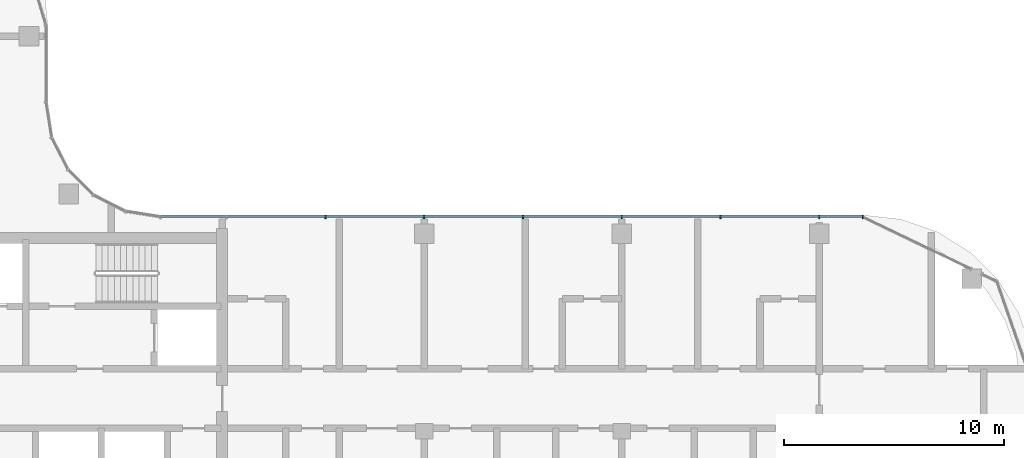
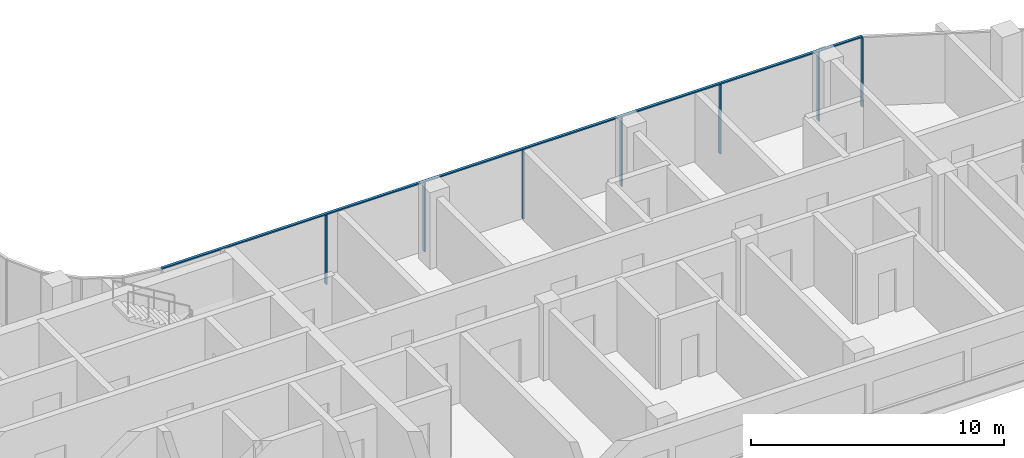
# One storey, part 4 of 20: 8 members, 1 element without a shape of its own.
"""IFC4 building model written with IfcOpenShell, lengths in metres."""

from ifc_helpers import new_model, si_unit, direction, frame, origin, origin_2d, place, context, subcontext, project, spatial, rectangle, extrude, material, material_profile, profile_set, type_object, element, aggregate, save


model = new_model("IFC4")

# Units and contexts
model_context = context("Model", 3, precision=1e-05, world=origin(), true_north=direction((0.0, 1.0)))
body_context = subcontext(model_context, "Body", "Model", "MODEL_VIEW")
ifc_project = project(units=[si_unit("LENGTHUNIT", "METRE"), si_unit("AREAUNIT", "SQUARE_METRE"), si_unit("VOLUMEUNIT", "CUBIC_METRE"), si_unit("PLANEANGLEUNIT", "RADIAN"), si_unit("MASSUNIT", "GRAM", prefix="KILO")], contexts=[model_context])

# Site, building, storey
site_placement = place(None, origin())
site = spatial("IfcSite", under=ifc_project, at=site_placement, CompositionType="ELEMENT")
building_placement = place(site_placement, origin())
building = spatial("IfcBuilding", under=site, at=building_placement, Name="Ogive Portal Towers", CompositionType="ELEMENT")
storey_placement = place(building_placement, frame((0.0, 0.0, 210.60009765625)))
storey = spatial("IfcBuildingStorey", under=building, at=storey_placement, Name="L52", CompositionType="ELEMENT", Elevation=210.60009765625)

# Curtain wall, members
ifc_material_1 = material(Name="Glass, clear low-iron insulated glazing", Category="glass")
curtain_wall_type = type_object("IfcCurtainWallType", Name="CW FRONT RIBBON 4500", PredefinedType="NOTDEFINED", material=ifc_material_1)
curtain_wall_placement = place(storey_placement, origin())
curtain_wall = element("IfcCurtainWall", 1, at=curtain_wall_placement, inside=storey, type_object=curtain_wall_type, Name="A:L52:f11:cw0", PredefinedType="NOTDEFINED")
ifc_material_2 = material(Name="Aluminium 6063 anodised", Category="aluminium")
ifc_material_profile_1 = material_profile(ifc_material_2, rectangle(XDim=0.159912109375, YDim=0.06005859375, at=origin_2d()), Name="AL 60x160")
ifc_profile_set_1 = profile_set([ifc_material_profile_1], Name="Aluminium 6063 anodised")
member_type_1 = type_object("IfcMemberType", Name="CW MULLION 60x160", PredefinedType="MULLION", material=ifc_profile_set_1)
member_1_placement = place(storey_placement, frame((87.481689453125, 40.27490234375, 0.0), z_axis=(0.0, 0.0, 1.0), x_axis=(0.0, -1.0, 0.0)))
member_1 = element("IfcMember", 2, at=member_1_placement, type_object=member_type_1, Name="mullion", PredefinedType="MULLION", context=body_context, shape_type="SweptSolid", body=[
    extrude(rectangle(XDim=0.159912109375, YDim=0.06005859375, at=origin_2d()), origin(), (0.0, 0.0, 1.0), 3.33984375),
])
member_2_placement = place(storey_placement, frame((85.5, 40.27490234375, 0.0), z_axis=(0.0, 0.0, 1.0), x_axis=(0.0, -1.0, 0.0)))
member_2 = element("IfcMember", 3, at=member_2_placement, type_object=member_type_1, Name="mullion", PredefinedType="MULLION", context=body_context, shape_type="SweptSolid", body=[
    extrude(rectangle(XDim=0.159912109375, YDim=0.06005859375, at=origin_2d()), origin(), (0.0, 0.0, 1.0), 3.33984375),
])
member_3_placement = place(storey_placement, frame((81.0, 40.27490234375, 0.0), z_axis=(0.0, 0.0, 1.0), x_axis=(0.0, -1.0, 0.0)))
member_3 = element("IfcMember", 4, at=member_3_placement, type_object=member_type_1, Name="mullion", PredefinedType="MULLION", context=body_context, shape_type="SweptSolid", body=[
    extrude(rectangle(XDim=0.159912109375, YDim=0.06005859375, at=origin_2d()), origin(), (0.0, 0.0, 1.0), 3.33984375),
])
member_4_placement = place(storey_placement, frame((76.5, 40.27490234375, 0.0), z_axis=(0.0, 0.0, 1.0), x_axis=(0.0, -1.0, 0.0)))
member_4 = element("IfcMember", 5, at=member_4_placement, type_object=member_type_1, Name="mullion", PredefinedType="MULLION", context=body_context, shape_type="SweptSolid", body=[
    extrude(rectangle(XDim=0.159912109375, YDim=0.06005859375, at=origin_2d()), origin(), (0.0, 0.0, 1.0), 3.33984375),
])
member_5_placement = place(storey_placement, frame((72.0, 40.27490234375, 0.0), z_axis=(0.0, 0.0, 1.0), x_axis=(0.0, -1.0, 0.0)))
member_5 = element("IfcMember", 6, at=member_5_placement, type_object=member_type_1, Name="mullion", PredefinedType="MULLION", context=body_context, shape_type="SweptSolid", body=[
    extrude(rectangle(XDim=0.159912109375, YDim=0.06005859375, at=origin_2d()), origin(), (0.0, 0.0, 1.0), 3.33984375),
])
member_6_placement = place(storey_placement, frame((67.5, 40.27490234375, 0.0), z_axis=(0.0, 0.0, 1.0), x_axis=(0.0, -1.0, 0.0)))
member_6 = element("IfcMember", 7, at=member_6_placement, type_object=member_type_1, Name="mullion", PredefinedType="MULLION", context=body_context, shape_type="SweptSolid", body=[
    extrude(rectangle(XDim=0.159912109375, YDim=0.06005859375, at=origin_2d()), origin(), (0.0, 0.0, 1.0), 3.33984375),
])
member_7_placement = place(storey_placement, frame((63.0, 40.27490234375, 0.0), z_axis=(0.0, 0.0, 1.0), x_axis=(0.0, -1.0, 0.0)))
member_7 = element("IfcMember", 8, at=member_7_placement, type_object=member_type_1, Name="mullion", PredefinedType="MULLION", context=body_context, shape_type="SweptSolid", body=[
    extrude(rectangle(XDim=0.159912109375, YDim=0.06005859375, at=origin_2d()), origin(), (0.0, 0.0, 1.0), 3.33984375),
])
ifc_material_profile_2 = material_profile(ifc_material_2, rectangle(XDim=0.1201171875, YDim=0.06005859375, at=origin_2d()), Name="AL 120x60")
ifc_profile_set_2 = profile_set([ifc_material_profile_2], Name="Aluminium 6063 anodised")
member_type_2 = type_object("IfcMemberType", Name="CW TRANSOM 60x120", PredefinedType="USERDEFINED", material=ifc_profile_set_2)
member_8_placement = place(storey_placement, frame((87.481689453125, 40.27490234375, 3.369873046875), z_axis=(-1.0, 0.0, 0.0), x_axis=(0.0, -1.0, 0.0)))
member_8 = element("IfcMember", 9, at=member_8_placement, type_object=member_type_2, Name="transom", ObjectType="TRANSOM", PredefinedType="USERDEFINED", context=body_context, shape_type="SweptSolid", body=[
    extrude(rectangle(XDim=0.1201171875, YDim=0.06005859375, at=origin_2d()), origin(), (0.0, 0.0, 1.0), 31.988037109375),
])
aggregate(curtain_wall, [member_8, member_1, member_2, member_3, member_4, member_5, member_6, member_7])

save(model, "model.ifc")
